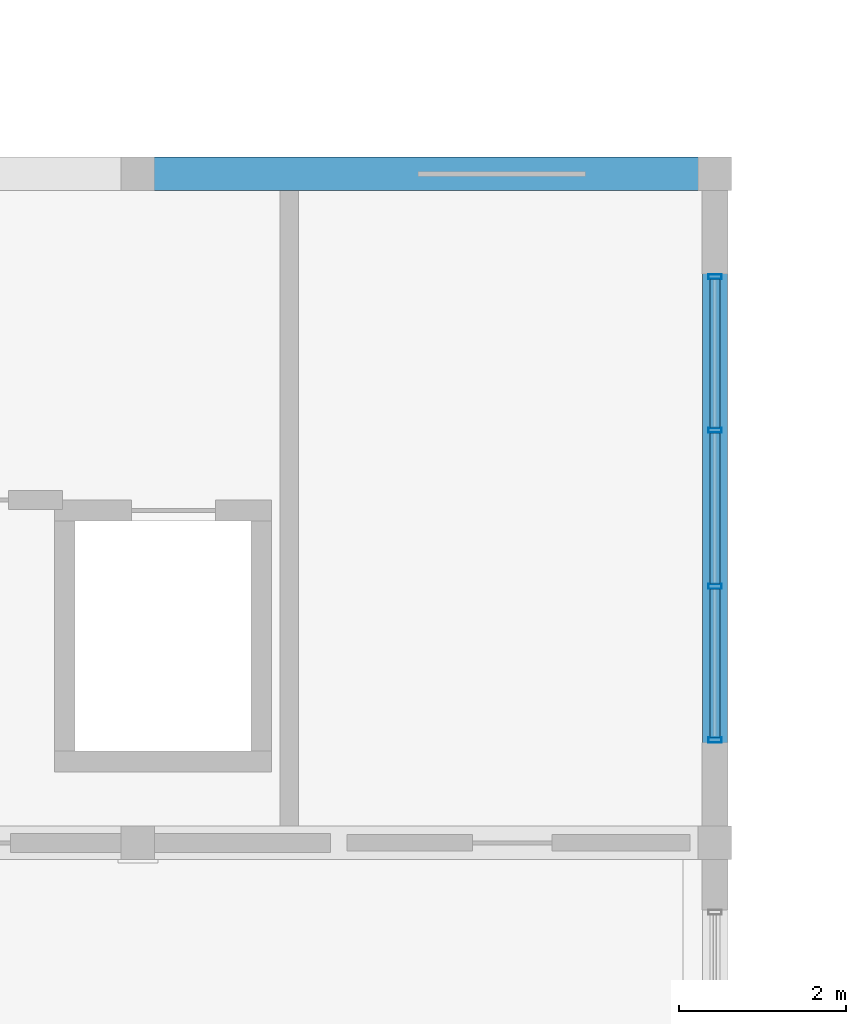
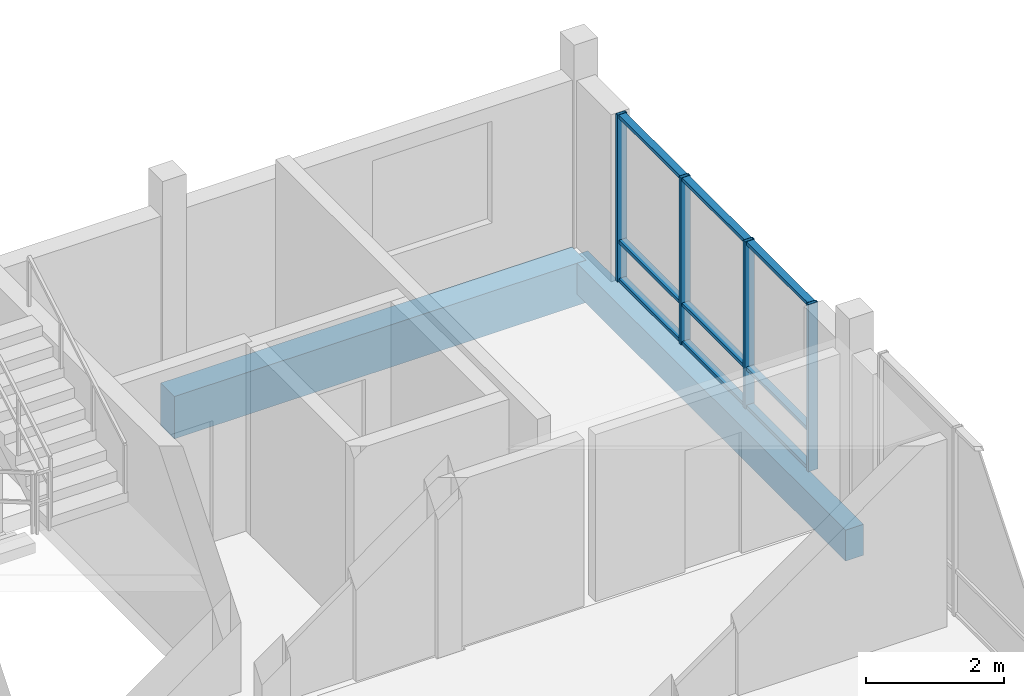
# One storey, part 74 of 189: 13 members, 2 beams, 1 element without a shape of its own.
"""IFC4 building model written with IfcOpenShell, lengths in metres."""

from ifc_helpers import new_model, si_unit, direction, frame, origin, origin_2d, place, context, subcontext, project, spatial, rectangle, hollow_rectangle, extrude, material, material_profile, profile_set, type_object, element, aggregate, save


model = new_model("IFC4")

# Units and contexts
model_context = context("Model", 3, precision=1e-05, world=origin(), true_north=direction((0.0, 1.0)))
body_context = subcontext(model_context, "Body", "Model", "MODEL_VIEW")
ifc_project = project(units=[si_unit("LENGTHUNIT", "METRE"), si_unit("AREAUNIT", "SQUARE_METRE"), si_unit("VOLUMEUNIT", "CUBIC_METRE"), si_unit("PLANEANGLEUNIT", "RADIAN"), si_unit("MASSUNIT", "GRAM", prefix="KILO")], contexts=[model_context])

# Site, building, storey
site_placement = place(None, origin())
site = spatial("IfcSite", under=ifc_project, at=site_placement, CompositionType="ELEMENT")
building_placement = place(site_placement, origin())
building = spatial("IfcBuilding", under=site, at=building_placement, Name="Zavelmont Quarter", CompositionType="ELEMENT")
storey_placement = place(building_placement, frame((0.0, 0.0, 4.39990234375)))
storey = spatial("IfcBuildingStorey", under=building, at=storey_placement, Name="L01", CompositionType="ELEMENT", Elevation=4.39990234375)

# Beams
ifc_material_1 = material(Name="Concrete C35/45", Category="concrete")
ifc_material_profile_1 = material_profile(ifc_material_1, rectangle(XDim=0.300048828125, YDim=0.550048828125, at=origin_2d()), Name="RC300X550")
ifc_profile_set_1 = profile_set([ifc_material_profile_1], Name="Concrete C35/45")
beam_type_1 = type_object("IfcBeamType", Name="BM02", PredefinedType="SPANDREL", material=ifc_profile_set_1)
beam_1_placement = place(storey_placement, frame((20.699951171875, 78.0, -0.554931640625), z_axis=(0.0, 1.0, 0.0), x_axis=(-1.0, 0.0, 0.0)))
element("IfcBeam", 1, at=beam_1_placement, inside=storey, type_object=beam_type_1, Name="L01 beam BM02 4/M to 4/N", PredefinedType="SPANDREL", context=body_context, shape_type="SweptSolid", body=[
    extrude(rectangle(XDim=0.300048828125, YDim=0.550048828125, at=origin_2d()), origin(), (0.0, 0.0, 1.0), 8.0),
])
ifc_material_2 = material(Name="Concrete C40/50", Category="concrete")
ifc_material_profile_2 = material_profile(ifc_material_2, rectangle(XDim=0.39990234375, YDim=0.75, at=origin_2d()), Name="RC400X750")
ifc_profile_set_2 = profile_set([ifc_material_profile_2], Name="Concrete C40/50")
beam_type_2 = type_object("IfcBeamType", Name="BM05", PredefinedType="BEAM", material=ifc_profile_set_2)
beam_2_placement = place(storey_placement, frame((13.800048828125, 86.0, -0.65478515625), z_axis=(1.0, 0.0, 0.0), x_axis=(0.0, 1.0, 0.0)))
element("IfcBeam", 2, at=beam_2_placement, inside=storey, type_object=beam_type_2, Name="L01 beam BM05 3/N to 4/N", PredefinedType="BEAM", context=body_context, shape_type="SweptSolid", body=[
    extrude(rectangle(XDim=0.39990234375, YDim=0.75, at=origin_2d()), origin(), (0.0, 0.0, 1.0), 6.89990234375),
])

# Curtain wall, members
ifc_material_3 = material(Name="Thermally broken aluminium and double low-E safety glazing", Category="aluminium")
curtain_wall_type = type_object("IfcCurtainWallType", Name="CW-560X296", PredefinedType="NOTDEFINED", material=ifc_material_3)
curtain_wall_placement = place(storey_placement, origin())
curtain_wall = element("IfcCurtainWall", 3, at=curtain_wall_placement, inside=storey, type_object=curtain_wall_type, Name="L01 unitised curtain wall CW-560X296", PredefinedType="NOTDEFINED")
ifc_material_4 = material(Name="Powder-coated aluminium EN AW-6063-T6", Category="aluminium")
ifc_material_profile_3 = material_profile(ifc_material_4, hollow_rectangle(XDim=0.06005859375, YDim=0.159912109375, WallThickness=0.00390625, at=origin_2d()), Name="CWM60X160")
ifc_profile_set_3 = profile_set([ifc_material_profile_3], Name="Powder-coated aluminium EN AW-6063-T6")
member_type_1 = type_object("IfcMemberType", Name="CWM01", PredefinedType="MULLION", material=ifc_profile_set_3)
member_1_placement = place(storey_placement, frame((20.699951171875, 79.22998046875, 0.0), z_axis=(0.0, 0.0, 1.0), x_axis=(0.0, 1.0, 0.0)))
member_1 = element("IfcMember", 4, at=member_1_placement, type_object=member_type_1, Name="CW-560X296 mullion 1", PredefinedType="MULLION", context=body_context, shape_type="SweptSolid", body=[
    extrude(hollow_rectangle(XDim=0.06005859375, YDim=0.159912109375, WallThickness=0.00390625, at=origin_2d()), origin(), (0.0, 0.0, 1.0), 2.960205078125),
])
member_2_placement = place(storey_placement, frame((20.699951171875, 81.066650390625, 0.0), z_axis=(0.0, 0.0, 1.0), x_axis=(0.0, 1.0, 0.0)))
member_2 = element("IfcMember", 5, at=member_2_placement, type_object=member_type_1, Name="CW-560X296 mullion 2", PredefinedType="MULLION", context=body_context, shape_type="SweptSolid", body=[
    extrude(hollow_rectangle(XDim=0.06005859375, YDim=0.159912109375, WallThickness=0.00390625, at=origin_2d()), origin(), (0.0, 0.0, 1.0), 2.960205078125),
])
member_3_placement = place(storey_placement, frame((20.699951171875, 82.933349609375, 0.0), z_axis=(0.0, 0.0, 1.0), x_axis=(0.0, 1.0, 0.0)))
member_3 = element("IfcMember", 6, at=member_3_placement, type_object=member_type_1, Name="CW-560X296 mullion 3", PredefinedType="MULLION", context=body_context, shape_type="SweptSolid", body=[
    extrude(hollow_rectangle(XDim=0.06005859375, YDim=0.159912109375, WallThickness=0.00390625, at=origin_2d()), origin(), (0.0, 0.0, 1.0), 2.960205078125),
])
member_4_placement = place(storey_placement, frame((20.699951171875, 84.77001953125, 0.0), z_axis=(0.0, 0.0, 1.0), x_axis=(0.0, 1.0, 0.0)))
member_4 = element("IfcMember", 7, at=member_4_placement, type_object=member_type_1, Name="CW-560X296 mullion 4", PredefinedType="MULLION", context=body_context, shape_type="SweptSolid", body=[
    extrude(hollow_rectangle(XDim=0.06005859375, YDim=0.159912109375, WallThickness=0.00390625, at=origin_2d()), origin(), (0.0, 0.0, 1.0), 2.960205078125),
])
ifc_material_profile_4 = material_profile(ifc_material_4, hollow_rectangle(XDim=0.1201171875, YDim=0.06005859375, WallThickness=0.00390625, at=origin_2d()), Name="CWT60X120")
ifc_profile_set_4 = profile_set([ifc_material_profile_4], Name="Powder-coated aluminium EN AW-6063-T6")
member_type_2 = type_object("IfcMemberType", Name="CWT01", PredefinedType="NOTDEFINED", material=ifc_profile_set_4)
member_5_placement = place(storey_placement, frame((20.699951171875, 79.260009765625, 0.030029296875), z_axis=(0.0, 1.0, 0.0), x_axis=(-1.0, 0.0, 0.0)))
member_5 = element("IfcMember", 8, at=member_5_placement, type_object=member_type_2, Name="CW-560X296 transom 1.1", ObjectType="TRANSOM", PredefinedType="USERDEFINED", context=body_context, shape_type="SweptSolid", body=[
    extrude(hollow_rectangle(XDim=0.1201171875, YDim=0.06005859375, WallThickness=0.00390625, at=origin_2d()), origin(), (0.0, 0.0, 1.0), 1.776611328125),
])
member_6_placement = place(storey_placement, frame((20.699951171875, 79.260009765625, 0.710205078125), z_axis=(0.0, 1.0, 0.0), x_axis=(-1.0, 0.0, 0.0)))
member_6 = element("IfcMember", 9, at=member_6_placement, type_object=member_type_2, Name="CW-560X296 transom 1.2", ObjectType="TRANSOM", PredefinedType="USERDEFINED", context=body_context, shape_type="SweptSolid", body=[
    extrude(hollow_rectangle(XDim=0.1201171875, YDim=0.06005859375, WallThickness=0.00390625, at=origin_2d()), origin(), (0.0, 0.0, 1.0), 1.776611328125),
])
member_7_placement = place(storey_placement, frame((20.699951171875, 79.260009765625, 2.93017578125), z_axis=(0.0, 1.0, 0.0), x_axis=(-1.0, 0.0, 0.0)))
member_7 = element("IfcMember", 10, at=member_7_placement, type_object=member_type_2, Name="CW-560X296 transom 1.3", ObjectType="TRANSOM", PredefinedType="USERDEFINED", context=body_context, shape_type="SweptSolid", body=[
    extrude(hollow_rectangle(XDim=0.1201171875, YDim=0.06005859375, WallThickness=0.00390625, at=origin_2d()), origin(), (0.0, 0.0, 1.0), 1.776611328125),
])
member_8_placement = place(storey_placement, frame((20.699951171875, 81.0966796875, 0.030029296875), z_axis=(0.0, 1.0, 0.0), x_axis=(-1.0, 0.0, 0.0)))
member_8 = element("IfcMember", 11, at=member_8_placement, type_object=member_type_2, Name="CW-560X296 transom 2.1", ObjectType="TRANSOM", PredefinedType="USERDEFINED", context=body_context, shape_type="SweptSolid", body=[
    extrude(hollow_rectangle(XDim=0.1201171875, YDim=0.06005859375, WallThickness=0.00390625, at=origin_2d()), origin(), (0.0, 0.0, 1.0), 1.806640625),
])
member_9_placement = place(storey_placement, frame((20.699951171875, 81.0966796875, 0.710205078125), z_axis=(0.0, 1.0, 0.0), x_axis=(-1.0, 0.0, 0.0)))
member_9 = element("IfcMember", 12, at=member_9_placement, type_object=member_type_2, Name="CW-560X296 transom 2.2", ObjectType="TRANSOM", PredefinedType="USERDEFINED", context=body_context, shape_type="SweptSolid", body=[
    extrude(hollow_rectangle(XDim=0.1201171875, YDim=0.06005859375, WallThickness=0.00390625, at=origin_2d()), origin(), (0.0, 0.0, 1.0), 1.806640625),
])
member_10_placement = place(storey_placement, frame((20.699951171875, 81.0966796875, 2.93017578125), z_axis=(0.0, 1.0, 0.0), x_axis=(-1.0, 0.0, 0.0)))
member_10 = element("IfcMember", 13, at=member_10_placement, type_object=member_type_2, Name="CW-560X296 transom 2.3", ObjectType="TRANSOM", PredefinedType="USERDEFINED", context=body_context, shape_type="SweptSolid", body=[
    extrude(hollow_rectangle(XDim=0.1201171875, YDim=0.06005859375, WallThickness=0.00390625, at=origin_2d()), origin(), (0.0, 0.0, 1.0), 1.806640625),
])
member_11_placement = place(storey_placement, frame((20.699951171875, 82.96337890625, 0.030029296875), z_axis=(0.0, 1.0, 0.0), x_axis=(-1.0, 0.0, 0.0)))
member_11 = element("IfcMember", 14, at=member_11_placement, type_object=member_type_2, Name="CW-560X296 transom 3.1", ObjectType="TRANSOM", PredefinedType="USERDEFINED", context=body_context, shape_type="SweptSolid", body=[
    extrude(hollow_rectangle(XDim=0.1201171875, YDim=0.06005859375, WallThickness=0.00390625, at=origin_2d()), origin(), (0.0, 0.0, 1.0), 1.776611328125),
])
member_12_placement = place(storey_placement, frame((20.699951171875, 82.96337890625, 0.710205078125), z_axis=(0.0, 1.0, 0.0), x_axis=(-1.0, 0.0, 0.0)))
member_12 = element("IfcMember", 15, at=member_12_placement, type_object=member_type_2, Name="CW-560X296 transom 3.2", ObjectType="TRANSOM", PredefinedType="USERDEFINED", context=body_context, shape_type="SweptSolid", body=[
    extrude(hollow_rectangle(XDim=0.1201171875, YDim=0.06005859375, WallThickness=0.00390625, at=origin_2d()), origin(), (0.0, 0.0, 1.0), 1.776611328125),
])
member_13_placement = place(storey_placement, frame((20.699951171875, 82.96337890625, 2.93017578125), z_axis=(0.0, 1.0, 0.0), x_axis=(-1.0, 0.0, 0.0)))
member_13 = element("IfcMember", 16, at=member_13_placement, type_object=member_type_2, Name="CW-560X296 transom 3.3", ObjectType="TRANSOM", PredefinedType="USERDEFINED", context=body_context, shape_type="SweptSolid", body=[
    extrude(hollow_rectangle(XDim=0.1201171875, YDim=0.06005859375, WallThickness=0.00390625, at=origin_2d()), origin(), (0.0, 0.0, 1.0), 1.776611328125),
])
aggregate(curtain_wall, [member_1, member_2, member_3, member_4, member_5, member_6, member_7, member_8, member_9, member_10, member_11, member_12, member_13])

save(model, "model.ifc")
